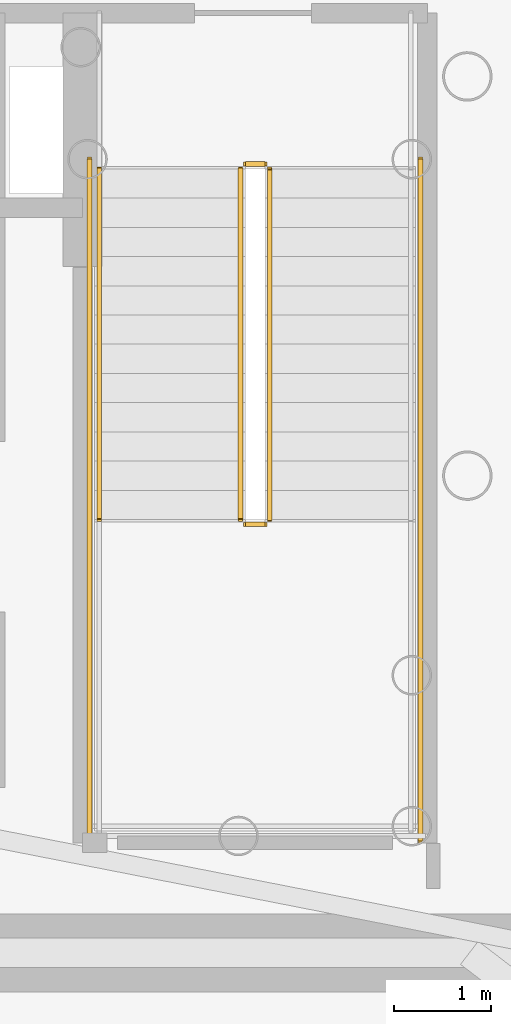
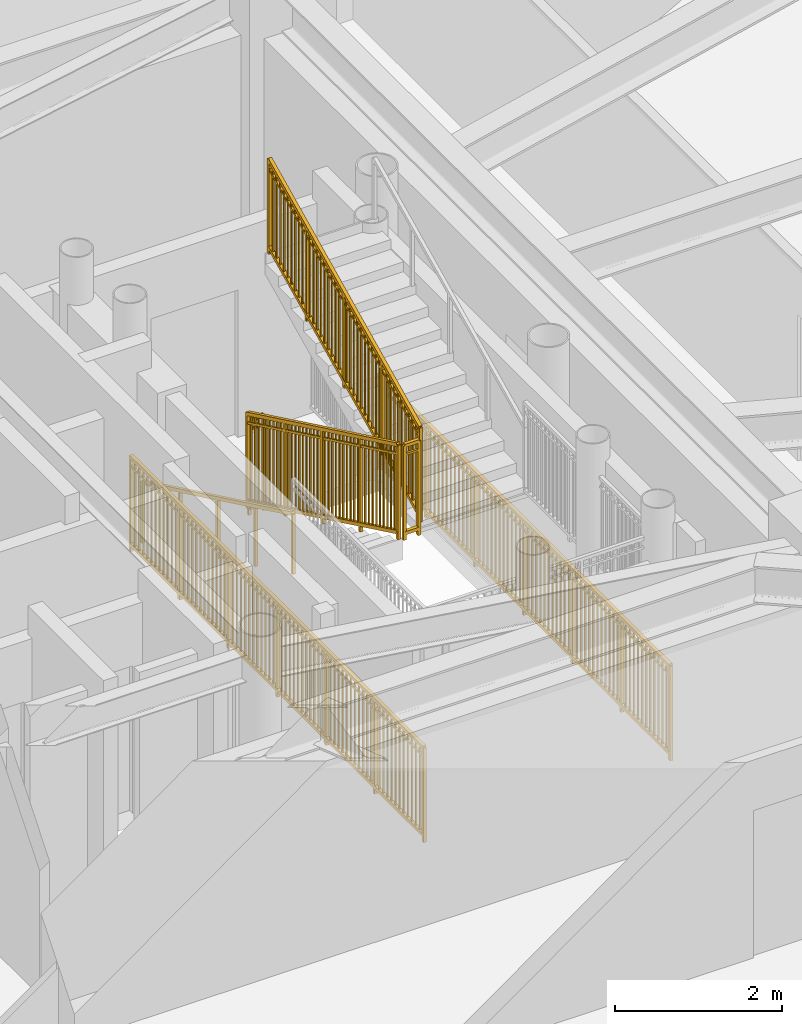
# One storey, part 16 of 17: 7 railings.
"""IFC4 building model written with IfcOpenShell, lengths in metres."""

from ifc_helpers import new_model, si_unit, direction, frame, origin, origin_2d, place, context, subcontext, project, spatial, rectangle, extrude, source, transform, mapped, material, type_object, element, save


model = new_model("IFC4")

# Units and contexts
model_context = context("Model", 3, precision=1e-05, world=origin(), true_north=direction((0.0, 1.0)))
body_context = subcontext(model_context, "Body", "Model", "MODEL_VIEW")
ifc_project = project(units=[si_unit("LENGTHUNIT", "METRE"), si_unit("AREAUNIT", "SQUARE_METRE"), si_unit("VOLUMEUNIT", "CUBIC_METRE"), si_unit("PLANEANGLEUNIT", "RADIAN"), si_unit("MASSUNIT", "GRAM", prefix="KILO")], contexts=[model_context])

# Site, building, storey
site_placement = place(None, origin())
site = spatial("IfcSite", under=ifc_project, at=site_placement, CompositionType="ELEMENT")
building_placement = place(site_placement, origin())
building = spatial("IfcBuilding", under=site, at=building_placement, Name="Linh Dai School and Residence Tower", CompositionType="ELEMENT")
storey_placement = place(building_placement, frame((0.0, 0.0, 142.199951171875)))
storey = spatial("IfcBuildingStorey", under=building, at=storey_placement, Name="L34", CompositionType="ELEMENT", Elevation=142.199951171875)

# Railings
ifc_material_1 = material(Name="Structural Steel S355JR", Category="steel")
railing_type_1 = type_object("IfcRailingType", Name="RL-ST-GUARD-1400", PredefinedType="GUARDRAIL", material=ifc_material_1)
shared_shape_1 = source(origin(), body_context, "Body", "SweptSolid", [
    extrude(rectangle(XDim=0.048095703125, YDim=0.048095703125, at=origin_2d()), frame((0.0, 0.0, 1.3759765625), z_axis=(0.0, 0.901262522062, 0.433273431364), x_axis=(-1.0, 0.0, 0.0)), (0.0, 0.0, 1.0), 3.994384765625),
    extrude(rectangle(XDim=0.048095703125, YDim=0.048095703125, at=origin_2d()), frame((0.0, 0.0, 0.10009765625), z_axis=(0.0, 0.901262522062, 0.433273431364), x_axis=(-1.0, 0.0, 0.0)), (0.0, 0.0, 1.0), 3.994384765625),
    extrude(rectangle(XDim=0.030029296875, YDim=0.030029296875, at=origin_2d()), frame((0.0, 0.0, 1.239990234375), z_axis=(0.0, 0.901262522062, 0.433273431364), x_axis=(-1.0, 0.0, 0.0)), (0.0, 0.0, 1.0), 3.994384765625),
    extrude(rectangle(XDim=0.02001953125, YDim=0.02001953125, at=origin_2d()), frame((0.0, 0.087890625, 0.142333984375)), (0.0, 0.0, 1.0), 1.251708984375),
    extrude(rectangle(XDim=0.02001953125, YDim=0.02001953125, at=origin_2d()), frame((0.0, 0.175537109375, 0.1845703125)), (0.0, 0.0, 1.0), 1.251708984375),
    extrude(rectangle(XDim=0.02001953125, YDim=0.02001953125, at=origin_2d()), frame((0.0, 0.263427734375, 0.226806640625)), (0.0, 0.0, 1.0), 1.251708984375),
    extrude(rectangle(XDim=0.02001953125, YDim=0.02001953125, at=origin_2d()), frame((0.0, 0.351318359375, 0.26904296875)), (0.0, 0.0, 1.0), 1.251708984375),
    extrude(rectangle(XDim=0.02001953125, YDim=0.02001953125, at=origin_2d()), frame((0.0, 0.43896484375, 0.311279296875)), (0.0, 0.0, 1.0), 1.251708984375),
    extrude(rectangle(XDim=0.02001953125, YDim=0.02001953125, at=origin_2d()), frame((0.0, 0.52685546875, 0.353271484375)), (0.0, 0.0, 1.0), 1.251708984375),
    extrude(rectangle(XDim=0.02001953125, YDim=0.02001953125, at=origin_2d()), frame((0.0, 0.61474609375, 0.3955078125)), (0.0, 0.0, 1.0), 1.251708984375),
    extrude(rectangle(XDim=0.02001953125, YDim=0.02001953125, at=origin_2d()), frame((0.0, 0.702392578125, 0.437744140625)), (0.0, 0.0, 1.0), 1.251708984375),
    extrude(rectangle(XDim=0.02001953125, YDim=0.02001953125, at=origin_2d()), frame((0.0, 0.790283203125, 0.47998046875)), (0.0, 0.0, 1.0), 1.251708984375),
    extrude(rectangle(XDim=0.02001953125, YDim=0.02001953125, at=origin_2d()), frame((0.0, 0.9658203125, 0.564453125)), (0.0, 0.0, 1.0), 1.251708984375),
    extrude(rectangle(XDim=0.02001953125, YDim=0.02001953125, at=origin_2d()), frame((0.0, 1.0537109375, 0.606689453125)), (0.0, 0.0, 1.0), 1.251708984375),
    extrude(rectangle(XDim=0.02001953125, YDim=0.02001953125, at=origin_2d()), frame((0.0, 1.1416015625, 0.64892578125)), (0.0, 0.0, 1.0), 1.251708984375),
    extrude(rectangle(XDim=0.02001953125, YDim=0.02001953125, at=origin_2d()), frame((0.0, 1.229248046875, 0.691162109375)), (0.0, 0.0, 1.0), 1.251708984375),
    extrude(rectangle(XDim=0.02001953125, YDim=0.02001953125, at=origin_2d()), frame((0.0, 1.317138671875, 0.7333984375)), (0.0, 0.0, 1.0), 1.251708984375),
    extrude(rectangle(XDim=0.02001953125, YDim=0.02001953125, at=origin_2d()), frame((0.0, 1.405029296875, 0.775390625)), (0.0, 0.0, 1.0), 1.251708984375),
    extrude(rectangle(XDim=0.02001953125, YDim=0.02001953125, at=origin_2d()), frame((0.0, 1.49267578125, 0.817626953125)), (0.0, 0.0, 1.0), 1.251708984375),
    extrude(rectangle(XDim=0.02001953125, YDim=0.02001953125, at=origin_2d()), frame((0.0, 1.58056640625, 0.85986328125)), (0.0, 0.0, 1.0), 1.251708984375),
    extrude(rectangle(XDim=0.02001953125, YDim=0.02001953125, at=origin_2d()), frame((0.0, 1.66845703125, 0.902099609375)), (0.0, 0.0, 1.0), 1.251708984375),
    extrude(rectangle(XDim=0.02001953125, YDim=0.02001953125, at=origin_2d()), frame((0.0, 1.756103515625, 0.9443359375)), (0.0, 0.0, 1.0), 1.251708984375),
    extrude(rectangle(XDim=0.02001953125, YDim=0.02001953125, at=origin_2d()), frame((0.0, 1.843994140625, 0.986572265625)), (0.0, 0.0, 1.0), 1.251708984375),
    extrude(rectangle(XDim=0.02001953125, YDim=0.02001953125, at=origin_2d()), frame((0.0, 1.931640625, 1.02880859375)), (0.0, 0.0, 1.0), 1.251708984375),
    extrude(rectangle(XDim=0.02001953125, YDim=0.02001953125, at=origin_2d()), frame((0.0, 2.01953125, 1.071044921875)), (0.0, 0.0, 1.0), 1.251708984375),
    extrude(rectangle(XDim=0.02001953125, YDim=0.02001953125, at=origin_2d()), frame((0.0, 2.107421875, 1.11328125)), (0.0, 0.0, 1.0), 1.251708984375),
    extrude(rectangle(XDim=0.02001953125, YDim=0.02001953125, at=origin_2d()), frame((0.0, 2.195068359375, 1.155517578125)), (0.0, 0.0, 1.0), 1.251708984375),
    extrude(rectangle(XDim=0.02001953125, YDim=0.02001953125, at=origin_2d()), frame((0.0, 2.282958984375, 1.197509765625)), (0.0, 0.0, 1.0), 1.251708984375),
    extrude(rectangle(XDim=0.02001953125, YDim=0.02001953125, at=origin_2d()), frame((0.0, 2.370849609375, 1.23974609375)), (0.0, 0.0, 1.0), 1.251708984375),
    extrude(rectangle(XDim=0.02001953125, YDim=0.02001953125, at=origin_2d()), frame((0.0, 2.45849609375, 1.281982421875)), (0.0, 0.0, 1.0), 1.251708984375),
    extrude(rectangle(XDim=0.02001953125, YDim=0.02001953125, at=origin_2d()), frame((0.0, 2.54638671875, 1.32421875)), (0.0, 0.0, 1.0), 1.251708984375),
    extrude(rectangle(XDim=0.02001953125, YDim=0.02001953125, at=origin_2d()), frame((0.0, 2.63427734375, 1.366455078125)), (0.0, 0.0, 1.0), 1.251708984375),
    extrude(rectangle(XDim=0.02001953125, YDim=0.02001953125, at=origin_2d()), frame((0.0, 2.809814453125, 1.450927734375)), (0.0, 0.0, 1.0), 1.251708984375),
    extrude(rectangle(XDim=0.02001953125, YDim=0.02001953125, at=origin_2d()), frame((0.0, 2.897705078125, 1.4931640625)), (0.0, 0.0, 1.0), 1.251708984375),
    extrude(rectangle(XDim=0.02001953125, YDim=0.02001953125, at=origin_2d()), frame((0.0, 2.9853515625, 1.535400390625)), (0.0, 0.0, 1.0), 1.251708984375),
    extrude(rectangle(XDim=0.02001953125, YDim=0.02001953125, at=origin_2d()), frame((0.0, 3.0732421875, 1.57763671875)), (0.0, 0.0, 1.0), 1.251708984375),
    extrude(rectangle(XDim=0.02001953125, YDim=0.02001953125, at=origin_2d()), frame((0.0, 3.1611328125, 1.61962890625)), (0.0, 0.0, 1.0), 1.251708984375),
    extrude(rectangle(XDim=0.02001953125, YDim=0.02001953125, at=origin_2d()), frame((0.0, 3.248779296875, 1.661865234375)), (0.0, 0.0, 1.0), 1.251708984375),
    extrude(rectangle(XDim=0.02001953125, YDim=0.02001953125, at=origin_2d()), frame((0.0, 3.336669921875, 1.7041015625)), (0.0, 0.0, 1.0), 1.251708984375),
    extrude(rectangle(XDim=0.02001953125, YDim=0.02001953125, at=origin_2d()), frame((0.0, 3.424560546875, 1.746337890625)), (0.0, 0.0, 1.0), 1.251708984375),
    extrude(rectangle(XDim=0.02001953125, YDim=0.02001953125, at=origin_2d()), frame((0.0, 3.51220703125, 1.78857421875)), (0.0, 0.0, 1.0), 1.251708984375),
    extrude(rectangle(XDim=0.0419921875, YDim=0.0419921875, at=origin_2d()), origin(), (0.0, 0.0, 1.0), 1.3759765625),
    extrude(rectangle(XDim=0.0419921875, YDim=0.0419921875, at=origin_2d()), frame((0.0, 0.89990234375, 0.4326171875)), (0.0, 0.0, 1.0), 1.3759765625),
    extrude(rectangle(XDim=0.0419921875, YDim=0.0419921875, at=origin_2d()), frame((0.0, 1.800048828125, 0.865234375)), (0.0, 0.0, 1.0), 1.3759765625),
    extrude(rectangle(XDim=0.0419921875, YDim=0.0419921875, at=origin_2d()), frame((0.0, 2.7001953125, 1.298095703125)), (0.0, 0.0, 1.0), 1.3759765625),
    extrude(rectangle(XDim=0.0419921875, YDim=0.0419921875, at=origin_2d()), frame((0.0, 3.60009765625, 1.730712890625)), (0.0, 0.0, 1.0), 1.3759765625),
])
railing_1_placement = place(storey_placement, frame((42.820068359375, 24.64990234375, 2.019287109375)))
element("IfcRailing", 1, at=railing_1_placement, inside=storey, type_object=railing_type_1, Name="L34 ST2 stair guard 6", PredefinedType="GUARDRAIL", context=body_context, shape_type="MappedRepresentation", body=[
    mapped(shared_shape_1, transform((0.0, 0.0, 0.0), x_axis=(1.0, 0.0, 0.0), y_axis=(0.0, 1.0, 0.0), z_axis=(0.0, 0.0, 1.0), scale=1.0)),
])
shared_shape_2 = source(origin(), body_context, "Body", "SweptSolid", [
    extrude(rectangle(XDim=0.048095703125, YDim=0.048095703125, at=origin_2d()), frame((0.0, 0.0, 1.3759765625), z_axis=(0.0, -0.901262522062, 0.433273431364), x_axis=(1.0, 0.0, 0.0)), (0.0, 0.0, 1.0), 3.994384765625),
    extrude(rectangle(XDim=0.048095703125, YDim=0.048095703125, at=origin_2d()), frame((0.0, 0.0, 0.10009765625), z_axis=(0.0, -0.901262522062, 0.433273431364), x_axis=(1.0, 0.0, 0.0)), (0.0, 0.0, 1.0), 3.994384765625),
    extrude(rectangle(XDim=0.030029296875, YDim=0.030029296875, at=origin_2d()), frame((0.0, 0.0, 1.239990234375), z_axis=(0.0, -0.901262522062, 0.433273431364), x_axis=(1.0, 0.0, 0.0)), (0.0, 0.0, 1.0), 3.994384765625),
    extrude(rectangle(XDim=0.02001953125, YDim=0.02001953125, at=origin_2d()), frame((0.0, -0.087890625, 0.142333984375)), (0.0, 0.0, 1.0), 1.251708984375),
    extrude(rectangle(XDim=0.02001953125, YDim=0.02001953125, at=origin_2d()), frame((0.0, -0.175537109375, 0.1845703125)), (0.0, 0.0, 1.0), 1.251708984375),
    extrude(rectangle(XDim=0.02001953125, YDim=0.02001953125, at=origin_2d()), frame((0.0, -0.263427734375, 0.226806640625)), (0.0, 0.0, 1.0), 1.251708984375),
    extrude(rectangle(XDim=0.02001953125, YDim=0.02001953125, at=origin_2d()), frame((0.0, -0.351318359375, 0.26904296875)), (0.0, 0.0, 1.0), 1.251708984375),
    extrude(rectangle(XDim=0.02001953125, YDim=0.02001953125, at=origin_2d()), frame((0.0, -0.43896484375, 0.311279296875)), (0.0, 0.0, 1.0), 1.251708984375),
    extrude(rectangle(XDim=0.02001953125, YDim=0.02001953125, at=origin_2d()), frame((0.0, -0.52685546875, 0.353271484375)), (0.0, 0.0, 1.0), 1.251708984375),
    extrude(rectangle(XDim=0.02001953125, YDim=0.02001953125, at=origin_2d()), frame((0.0, -0.61474609375, 0.3955078125)), (0.0, 0.0, 1.0), 1.251708984375),
    extrude(rectangle(XDim=0.02001953125, YDim=0.02001953125, at=origin_2d()), frame((0.0, -0.702392578125, 0.437744140625)), (0.0, 0.0, 1.0), 1.251708984375),
    extrude(rectangle(XDim=0.02001953125, YDim=0.02001953125, at=origin_2d()), frame((0.0, -0.790283203125, 0.47998046875)), (0.0, 0.0, 1.0), 1.251708984375),
    extrude(rectangle(XDim=0.02001953125, YDim=0.02001953125, at=origin_2d()), frame((0.0, -0.9658203125, 0.564453125)), (0.0, 0.0, 1.0), 1.251708984375),
    extrude(rectangle(XDim=0.02001953125, YDim=0.02001953125, at=origin_2d()), frame((0.0, -1.0537109375, 0.606689453125)), (0.0, 0.0, 1.0), 1.251708984375),
    extrude(rectangle(XDim=0.02001953125, YDim=0.02001953125, at=origin_2d()), frame((0.0, -1.1416015625, 0.64892578125)), (0.0, 0.0, 1.0), 1.251708984375),
    extrude(rectangle(XDim=0.02001953125, YDim=0.02001953125, at=origin_2d()), frame((0.0, -1.229248046875, 0.691162109375)), (0.0, 0.0, 1.0), 1.251708984375),
    extrude(rectangle(XDim=0.02001953125, YDim=0.02001953125, at=origin_2d()), frame((0.0, -1.317138671875, 0.7333984375)), (0.0, 0.0, 1.0), 1.251708984375),
    extrude(rectangle(XDim=0.02001953125, YDim=0.02001953125, at=origin_2d()), frame((0.0, -1.405029296875, 0.775390625)), (0.0, 0.0, 1.0), 1.251708984375),
    extrude(rectangle(XDim=0.02001953125, YDim=0.02001953125, at=origin_2d()), frame((0.0, -1.49267578125, 0.817626953125)), (0.0, 0.0, 1.0), 1.251708984375),
    extrude(rectangle(XDim=0.02001953125, YDim=0.02001953125, at=origin_2d()), frame((0.0, -1.58056640625, 0.85986328125)), (0.0, 0.0, 1.0), 1.251708984375),
    extrude(rectangle(XDim=0.02001953125, YDim=0.02001953125, at=origin_2d()), frame((0.0, -1.66845703125, 0.902099609375)), (0.0, 0.0, 1.0), 1.251708984375),
    extrude(rectangle(XDim=0.02001953125, YDim=0.02001953125, at=origin_2d()), frame((0.0, -1.756103515625, 0.9443359375)), (0.0, 0.0, 1.0), 1.251708984375),
    extrude(rectangle(XDim=0.02001953125, YDim=0.02001953125, at=origin_2d()), frame((0.0, -1.843994140625, 0.986572265625)), (0.0, 0.0, 1.0), 1.251708984375),
    extrude(rectangle(XDim=0.02001953125, YDim=0.02001953125, at=origin_2d()), frame((0.0, -1.931640625, 1.02880859375)), (0.0, 0.0, 1.0), 1.251708984375),
    extrude(rectangle(XDim=0.02001953125, YDim=0.02001953125, at=origin_2d()), frame((0.0, -2.01953125, 1.071044921875)), (0.0, 0.0, 1.0), 1.251708984375),
    extrude(rectangle(XDim=0.02001953125, YDim=0.02001953125, at=origin_2d()), frame((0.0, -2.107421875, 1.11328125)), (0.0, 0.0, 1.0), 1.251708984375),
    extrude(rectangle(XDim=0.02001953125, YDim=0.02001953125, at=origin_2d()), frame((0.0, -2.195068359375, 1.155517578125)), (0.0, 0.0, 1.0), 1.251708984375),
    extrude(rectangle(XDim=0.02001953125, YDim=0.02001953125, at=origin_2d()), frame((0.0, -2.282958984375, 1.197509765625)), (0.0, 0.0, 1.0), 1.251708984375),
    extrude(rectangle(XDim=0.02001953125, YDim=0.02001953125, at=origin_2d()), frame((0.0, -2.370849609375, 1.23974609375)), (0.0, 0.0, 1.0), 1.251708984375),
    extrude(rectangle(XDim=0.02001953125, YDim=0.02001953125, at=origin_2d()), frame((0.0, -2.45849609375, 1.281982421875)), (0.0, 0.0, 1.0), 1.251708984375),
    extrude(rectangle(XDim=0.02001953125, YDim=0.02001953125, at=origin_2d()), frame((0.0, -2.54638671875, 1.32421875)), (0.0, 0.0, 1.0), 1.251708984375),
    extrude(rectangle(XDim=0.02001953125, YDim=0.02001953125, at=origin_2d()), frame((0.0, -2.63427734375, 1.366455078125)), (0.0, 0.0, 1.0), 1.251708984375),
    extrude(rectangle(XDim=0.02001953125, YDim=0.02001953125, at=origin_2d()), frame((0.0, -2.809814453125, 1.450927734375)), (0.0, 0.0, 1.0), 1.251708984375),
    extrude(rectangle(XDim=0.02001953125, YDim=0.02001953125, at=origin_2d()), frame((0.0, -2.897705078125, 1.4931640625)), (0.0, 0.0, 1.0), 1.251708984375),
    extrude(rectangle(XDim=0.02001953125, YDim=0.02001953125, at=origin_2d()), frame((0.0, -2.9853515625, 1.535400390625)), (0.0, 0.0, 1.0), 1.251708984375),
    extrude(rectangle(XDim=0.02001953125, YDim=0.02001953125, at=origin_2d()), frame((0.0, -3.0732421875, 1.57763671875)), (0.0, 0.0, 1.0), 1.251708984375),
    extrude(rectangle(XDim=0.02001953125, YDim=0.02001953125, at=origin_2d()), frame((0.0, -3.1611328125, 1.61962890625)), (0.0, 0.0, 1.0), 1.251708984375),
    extrude(rectangle(XDim=0.02001953125, YDim=0.02001953125, at=origin_2d()), frame((0.0, -3.248779296875, 1.661865234375)), (0.0, 0.0, 1.0), 1.251708984375),
    extrude(rectangle(XDim=0.02001953125, YDim=0.02001953125, at=origin_2d()), frame((0.0, -3.336669921875, 1.7041015625)), (0.0, 0.0, 1.0), 1.251708984375),
    extrude(rectangle(XDim=0.02001953125, YDim=0.02001953125, at=origin_2d()), frame((0.0, -3.424560546875, 1.746337890625)), (0.0, 0.0, 1.0), 1.251708984375),
    extrude(rectangle(XDim=0.02001953125, YDim=0.02001953125, at=origin_2d()), frame((0.0, -3.51220703125, 1.78857421875)), (0.0, 0.0, 1.0), 1.251708984375),
    extrude(rectangle(XDim=0.0419921875, YDim=0.0419921875, at=origin_2d()), origin(), (0.0, 0.0, 1.0), 1.3759765625),
    extrude(rectangle(XDim=0.0419921875, YDim=0.0419921875, at=origin_2d()), frame((0.0, -0.89990234375, 0.4326171875)), (0.0, 0.0, 1.0), 1.3759765625),
    extrude(rectangle(XDim=0.0419921875, YDim=0.0419921875, at=origin_2d()), frame((0.0, -1.800048828125, 0.865234375)), (0.0, 0.0, 1.0), 1.3759765625),
    extrude(rectangle(XDim=0.0419921875, YDim=0.0419921875, at=origin_2d()), frame((0.0, -2.7001953125, 1.298095703125)), (0.0, 0.0, 1.0), 1.3759765625),
    extrude(rectangle(XDim=0.0419921875, YDim=0.0419921875, at=origin_2d()), frame((0.0, -3.60009765625, 1.730712890625)), (0.0, 0.0, 1.0), 1.3759765625),
])
railing_2_placement = place(storey_placement, frame((42.52001953125, 28.25, 0.144287109375)))
element("IfcRailing", 2, at=railing_2_placement, inside=storey, type_object=railing_type_1, Name="L34 ST2 stair guard 1", PredefinedType="GUARDRAIL", context=body_context, shape_type="MappedRepresentation", body=[
    mapped(shared_shape_2, transform((0.0, 0.0, 0.0), x_axis=(1.0, 0.0, 0.0), y_axis=(0.0, 1.0, 0.0), z_axis=(0.0, 0.0, 1.0), scale=1.0)),
])
ifc_material_2 = material(Name="Brushed Stainless Steel Handrail", Category="steel")
railing_type_2 = type_object("IfcRailingType", Name="RL-ST-HANDRAIL-900", PredefinedType="HANDRAIL", material=ifc_material_2)
shared_shape_3 = source(origin(), body_context, "Body", "SweptSolid", [
    extrude(rectangle(XDim=0.048095703125, YDim=0.048095703125, at=origin_2d()), frame((0.0, 0.0, 0.8759765625), z_axis=(0.0, -0.901262522062, 0.433273431364), x_axis=(1.0, 0.0, 0.0)), (0.0, 0.0, 1.0), 3.994384765625),
    extrude(rectangle(XDim=0.0419921875, YDim=0.0419921875, at=origin_2d()), origin(), (0.0, 0.0, 1.0), 0.8759765625),
    extrude(rectangle(XDim=0.0419921875, YDim=0.0419921875, at=origin_2d()), frame((0.0, -0.89990234375, 0.4326171875)), (0.0, 0.0, 1.0), 0.8759765625),
    extrude(rectangle(XDim=0.0419921875, YDim=0.0419921875, at=origin_2d()), frame((0.0, -1.800048828125, 0.865234375)), (0.0, 0.0, 1.0), 0.8759765625),
    extrude(rectangle(XDim=0.0419921875, YDim=0.0419921875, at=origin_2d()), frame((0.0, -2.7001953125, 1.298095703125)), (0.0, 0.0, 1.0), 0.8759765625),
    extrude(rectangle(XDim=0.0419921875, YDim=0.0419921875, at=origin_2d()), frame((0.0, -3.60009765625, 1.730712890625)), (0.0, 0.0, 1.0), 0.8759765625),
])
railing_3_placement = place(storey_placement, frame((41.070068359375, 28.25, 0.144287109375)))
element("IfcRailing", 3, at=railing_3_placement, inside=storey, type_object=railing_type_2, Name="L34 ST2 stair handrail 1", PredefinedType="HANDRAIL", context=body_context, shape_type="MappedRepresentation", body=[
    mapped(shared_shape_3, transform((0.0, 0.0, 0.0), x_axis=(1.0, 0.0, 0.0), y_axis=(0.0, 1.0, 0.0), z_axis=(0.0, 0.0, 1.0), scale=1.0)),
])
shared_shape_4 = source(origin(), body_context, "Body", "SweptSolid", [
    extrude(rectangle(XDim=0.048095703125, YDim=0.048095703125, at=origin_2d()), frame((0.0, 0.0, 1.3759765625), z_axis=(1.0, 0.0, 0.0), x_axis=(0.0, 1.0, 0.0)), (0.0, 0.0, 1.0), 0.199951171875),
    extrude(rectangle(XDim=0.048095703125, YDim=0.048095703125, at=origin_2d()), frame((0.0, 0.0, 0.10009765625), z_axis=(1.0, 0.0, 0.0), x_axis=(0.0, 1.0, 0.0)), (0.0, 0.0, 1.0), 0.199951171875),
    extrude(rectangle(XDim=0.030029296875, YDim=0.030029296875, at=origin_2d()), frame((0.0, 0.0, 1.239990234375), z_axis=(1.0, 0.0, 0.0), x_axis=(0.0, 1.0, 0.0)), (0.0, 0.0, 1.0), 0.199951171875),
    extrude(rectangle(XDim=0.0419921875, YDim=0.0419921875, at=origin_2d()), origin(), (0.0, 0.0, 1.0), 1.3759765625),
    extrude(rectangle(XDim=0.0419921875, YDim=0.0419921875, at=origin_2d()), frame((0.199951171875, 0.0, 0.0)), (0.0, 0.0, 1.0), 1.3759765625),
])
for number, where, name in (
    (4, (42.570068359375, 24.60009765625, 1.875), "L34 ST2 stair guard 2"),
    (5, (42.570068359375, 28.300048828125, 0.0), "L34 ST2 stair guard 7"),
):
    element("IfcRailing", number, at=place(storey_placement, frame(where)), inside=storey, type_object=railing_type_1, Name=name, PredefinedType="GUARDRAIL", context=body_context, shape_type="MappedRepresentation", body=[
        mapped(shared_shape_4, transform((0.0, 0.0, 0.0), x_axis=(1.0, 0.0, 0.0), y_axis=(0.0, 1.0, 0.0), z_axis=(0.0, 0.0, 1.0), scale=1.0)),
    ])
shared_shape_5 = source(origin(), body_context, "Body", "SweptSolid", [
    extrude(rectangle(XDim=0.048095703125, YDim=0.048095703125, at=origin_2d()), frame((0.0, 0.0, 1.3759765625), z_axis=(0.0, -1.0, 0.0), x_axis=(1.0, 0.0, 0.0)), (0.0, 0.0, 1.0), 7.0),
    extrude(rectangle(XDim=0.048095703125, YDim=0.048095703125, at=origin_2d()), frame((0.0, 0.0, 0.10009765625), z_axis=(0.0, -1.0, 0.0), x_axis=(1.0, 0.0, 0.0)), (0.0, 0.0, 1.0), 7.0),
    extrude(rectangle(XDim=0.030029296875, YDim=0.030029296875, at=origin_2d()), frame((0.0, 0.0, 1.239990234375), z_axis=(0.0, -1.0, 0.0), x_axis=(1.0, 0.0, 0.0)), (0.0, 0.0, 1.0), 7.0),
    extrude(rectangle(XDim=0.02001953125, YDim=0.02001953125, at=origin_2d()), frame((0.0, -0.09716796875, 0.10009765625)), (0.0, 0.0, 1.0), 1.251708984375),
    extrude(rectangle(XDim=0.02001953125, YDim=0.02001953125, at=origin_2d()), frame((0.0, -0.1943359375, 0.10009765625)), (0.0, 0.0, 1.0), 1.251708984375),
    extrude(rectangle(XDim=0.02001953125, YDim=0.02001953125, at=origin_2d()), frame((0.0, -0.291748046875, 0.10009765625)), (0.0, 0.0, 1.0), 1.251708984375),
    extrude(rectangle(XDim=0.02001953125, YDim=0.02001953125, at=origin_2d()), frame((0.0, -0.388916015625, 0.10009765625)), (0.0, 0.0, 1.0), 1.251708984375),
    extrude(rectangle(XDim=0.02001953125, YDim=0.02001953125, at=origin_2d()), frame((0.0, -0.486083984375, 0.10009765625)), (0.0, 0.0, 1.0), 1.251708984375),
    extrude(rectangle(XDim=0.02001953125, YDim=0.02001953125, at=origin_2d()), frame((0.0, -0.583251953125, 0.10009765625)), (0.0, 0.0, 1.0), 1.251708984375),
    extrude(rectangle(XDim=0.02001953125, YDim=0.02001953125, at=origin_2d()), frame((0.0, -0.6806640625, 0.10009765625)), (0.0, 0.0, 1.0), 1.251708984375),
    extrude(rectangle(XDim=0.02001953125, YDim=0.02001953125, at=origin_2d()), frame((0.0, -0.77783203125, 0.10009765625)), (0.0, 0.0, 1.0), 1.251708984375),
    extrude(rectangle(XDim=0.02001953125, YDim=0.02001953125, at=origin_2d()), frame((0.0, -0.875, 0.10009765625)), (0.0, 0.0, 1.0), 1.251708984375),
    extrude(rectangle(XDim=0.02001953125, YDim=0.02001953125, at=origin_2d()), frame((0.0, -0.97216796875, 0.10009765625)), (0.0, 0.0, 1.0), 1.251708984375),
    extrude(rectangle(XDim=0.02001953125, YDim=0.02001953125, at=origin_2d()), frame((0.0, -1.0693359375, 0.10009765625)), (0.0, 0.0, 1.0), 1.251708984375),
    extrude(rectangle(XDim=0.02001953125, YDim=0.02001953125, at=origin_2d()), frame((0.0, -1.263916015625, 0.10009765625)), (0.0, 0.0, 1.0), 1.251708984375),
    extrude(rectangle(XDim=0.02001953125, YDim=0.02001953125, at=origin_2d()), frame((0.0, -1.361083984375, 0.10009765625)), (0.0, 0.0, 1.0), 1.251708984375),
    extrude(rectangle(XDim=0.02001953125, YDim=0.02001953125, at=origin_2d()), frame((0.0, -1.458251953125, 0.10009765625)), (0.0, 0.0, 1.0), 1.251708984375),
    extrude(rectangle(XDim=0.02001953125, YDim=0.02001953125, at=origin_2d()), frame((0.0, -1.5556640625, 0.10009765625)), (0.0, 0.0, 1.0), 1.251708984375),
    extrude(rectangle(XDim=0.02001953125, YDim=0.02001953125, at=origin_2d()), frame((0.0, -1.65283203125, 0.10009765625)), (0.0, 0.0, 1.0), 1.251708984375),
    extrude(rectangle(XDim=0.02001953125, YDim=0.02001953125, at=origin_2d()), frame((0.0, -1.75, 0.10009765625)), (0.0, 0.0, 1.0), 1.251708984375),
    extrude(rectangle(XDim=0.02001953125, YDim=0.02001953125, at=origin_2d()), frame((0.0, -1.84716796875, 0.10009765625)), (0.0, 0.0, 1.0), 1.251708984375),
    extrude(rectangle(XDim=0.02001953125, YDim=0.02001953125, at=origin_2d()), frame((0.0, -1.9443359375, 0.10009765625)), (0.0, 0.0, 1.0), 1.251708984375),
    extrude(rectangle(XDim=0.02001953125, YDim=0.02001953125, at=origin_2d()), frame((0.0, -2.041748046875, 0.10009765625)), (0.0, 0.0, 1.0), 1.251708984375),
    extrude(rectangle(XDim=0.02001953125, YDim=0.02001953125, at=origin_2d()), frame((0.0, -2.138916015625, 0.10009765625)), (0.0, 0.0, 1.0), 1.251708984375),
    extrude(rectangle(XDim=0.02001953125, YDim=0.02001953125, at=origin_2d()), frame((0.0, -2.236083984375, 0.10009765625)), (0.0, 0.0, 1.0), 1.251708984375),
    extrude(rectangle(XDim=0.02001953125, YDim=0.02001953125, at=origin_2d()), frame((0.0, -2.4306640625, 0.10009765625)), (0.0, 0.0, 1.0), 1.251708984375),
    extrude(rectangle(XDim=0.02001953125, YDim=0.02001953125, at=origin_2d()), frame((0.0, -2.52783203125, 0.10009765625)), (0.0, 0.0, 1.0), 1.251708984375),
    extrude(rectangle(XDim=0.02001953125, YDim=0.02001953125, at=origin_2d()), frame((0.0, -2.625, 0.10009765625)), (0.0, 0.0, 1.0), 1.251708984375),
    extrude(rectangle(XDim=0.02001953125, YDim=0.02001953125, at=origin_2d()), frame((0.0, -2.72216796875, 0.10009765625)), (0.0, 0.0, 1.0), 1.251708984375),
    extrude(rectangle(XDim=0.02001953125, YDim=0.02001953125, at=origin_2d()), frame((0.0, -2.8193359375, 0.10009765625)), (0.0, 0.0, 1.0), 1.251708984375),
    extrude(rectangle(XDim=0.02001953125, YDim=0.02001953125, at=origin_2d()), frame((0.0, -2.916748046875, 0.10009765625)), (0.0, 0.0, 1.0), 1.251708984375),
    extrude(rectangle(XDim=0.02001953125, YDim=0.02001953125, at=origin_2d()), frame((0.0, -3.013916015625, 0.10009765625)), (0.0, 0.0, 1.0), 1.251708984375),
    extrude(rectangle(XDim=0.02001953125, YDim=0.02001953125, at=origin_2d()), frame((0.0, -3.111083984375, 0.10009765625)), (0.0, 0.0, 1.0), 1.251708984375),
    extrude(rectangle(XDim=0.02001953125, YDim=0.02001953125, at=origin_2d()), frame((0.0, -3.208251953125, 0.10009765625)), (0.0, 0.0, 1.0), 1.251708984375),
    extrude(rectangle(XDim=0.02001953125, YDim=0.02001953125, at=origin_2d()), frame((0.0, -3.3056640625, 0.10009765625)), (0.0, 0.0, 1.0), 1.251708984375),
    extrude(rectangle(XDim=0.02001953125, YDim=0.02001953125, at=origin_2d()), frame((0.0, -3.40283203125, 0.10009765625)), (0.0, 0.0, 1.0), 1.251708984375),
    extrude(rectangle(XDim=0.02001953125, YDim=0.02001953125, at=origin_2d()), frame((0.0, -3.59716796875, 0.10009765625)), (0.0, 0.0, 1.0), 1.251708984375),
    extrude(rectangle(XDim=0.02001953125, YDim=0.02001953125, at=origin_2d()), frame((0.0, -3.6943359375, 0.10009765625)), (0.0, 0.0, 1.0), 1.251708984375),
    extrude(rectangle(XDim=0.02001953125, YDim=0.02001953125, at=origin_2d()), frame((0.0, -3.791748046875, 0.10009765625)), (0.0, 0.0, 1.0), 1.251708984375),
    extrude(rectangle(XDim=0.02001953125, YDim=0.02001953125, at=origin_2d()), frame((0.0, -3.888916015625, 0.10009765625)), (0.0, 0.0, 1.0), 1.251708984375),
    extrude(rectangle(XDim=0.02001953125, YDim=0.02001953125, at=origin_2d()), frame((0.0, -3.986083984375, 0.10009765625)), (0.0, 0.0, 1.0), 1.251708984375),
    extrude(rectangle(XDim=0.02001953125, YDim=0.02001953125, at=origin_2d()), frame((0.0, -4.083251953125, 0.10009765625)), (0.0, 0.0, 1.0), 1.251708984375),
    extrude(rectangle(XDim=0.02001953125, YDim=0.02001953125, at=origin_2d()), frame((0.0, -4.1806640625, 0.10009765625)), (0.0, 0.0, 1.0), 1.251708984375),
    extrude(rectangle(XDim=0.02001953125, YDim=0.02001953125, at=origin_2d()), frame((0.0, -4.27783203125, 0.10009765625)), (0.0, 0.0, 1.0), 1.251708984375),
    extrude(rectangle(XDim=0.02001953125, YDim=0.02001953125, at=origin_2d()), frame((0.0, -4.375, 0.10009765625)), (0.0, 0.0, 1.0), 1.251708984375),
    extrude(rectangle(XDim=0.02001953125, YDim=0.02001953125, at=origin_2d()), frame((0.0, -4.47216796875, 0.10009765625)), (0.0, 0.0, 1.0), 1.251708984375),
    extrude(rectangle(XDim=0.02001953125, YDim=0.02001953125, at=origin_2d()), frame((0.0, -4.5693359375, 0.10009765625)), (0.0, 0.0, 1.0), 1.251708984375),
    extrude(rectangle(XDim=0.02001953125, YDim=0.02001953125, at=origin_2d()), frame((0.0, -4.763916015625, 0.10009765625)), (0.0, 0.0, 1.0), 1.251708984375),
    extrude(rectangle(XDim=0.02001953125, YDim=0.02001953125, at=origin_2d()), frame((0.0, -4.861083984375, 0.10009765625)), (0.0, 0.0, 1.0), 1.251708984375),
    extrude(rectangle(XDim=0.02001953125, YDim=0.02001953125, at=origin_2d()), frame((0.0, -4.958251953125, 0.10009765625)), (0.0, 0.0, 1.0), 1.251708984375),
    extrude(rectangle(XDim=0.02001953125, YDim=0.02001953125, at=origin_2d()), frame((0.0, -5.0556640625, 0.10009765625)), (0.0, 0.0, 1.0), 1.251708984375),
    extrude(rectangle(XDim=0.02001953125, YDim=0.02001953125, at=origin_2d()), frame((0.0, -5.15283203125, 0.10009765625)), (0.0, 0.0, 1.0), 1.251708984375),
    extrude(rectangle(XDim=0.02001953125, YDim=0.02001953125, at=origin_2d()), frame((0.0, -5.25, 0.10009765625)), (0.0, 0.0, 1.0), 1.251708984375),
    extrude(rectangle(XDim=0.02001953125, YDim=0.02001953125, at=origin_2d()), frame((0.0, -5.34716796875, 0.10009765625)), (0.0, 0.0, 1.0), 1.251708984375),
    extrude(rectangle(XDim=0.02001953125, YDim=0.02001953125, at=origin_2d()), frame((0.0, -5.4443359375, 0.10009765625)), (0.0, 0.0, 1.0), 1.251708984375),
    extrude(rectangle(XDim=0.02001953125, YDim=0.02001953125, at=origin_2d()), frame((0.0, -5.541748046875, 0.10009765625)), (0.0, 0.0, 1.0), 1.251708984375),
    extrude(rectangle(XDim=0.02001953125, YDim=0.02001953125, at=origin_2d()), frame((0.0, -5.638916015625, 0.10009765625)), (0.0, 0.0, 1.0), 1.251708984375),
    extrude(rectangle(XDim=0.02001953125, YDim=0.02001953125, at=origin_2d()), frame((0.0, -5.736083984375, 0.10009765625)), (0.0, 0.0, 1.0), 1.251708984375),
    extrude(rectangle(XDim=0.02001953125, YDim=0.02001953125, at=origin_2d()), frame((0.0, -5.9306640625, 0.10009765625)), (0.0, 0.0, 1.0), 1.251708984375),
    extrude(rectangle(XDim=0.02001953125, YDim=0.02001953125, at=origin_2d()), frame((0.0, -6.02783203125, 0.10009765625)), (0.0, 0.0, 1.0), 1.251708984375),
    extrude(rectangle(XDim=0.02001953125, YDim=0.02001953125, at=origin_2d()), frame((0.0, -6.125, 0.10009765625)), (0.0, 0.0, 1.0), 1.251708984375),
    extrude(rectangle(XDim=0.02001953125, YDim=0.02001953125, at=origin_2d()), frame((0.0, -6.22216796875, 0.10009765625)), (0.0, 0.0, 1.0), 1.251708984375),
    extrude(rectangle(XDim=0.02001953125, YDim=0.02001953125, at=origin_2d()), frame((0.0, -6.3193359375, 0.10009765625)), (0.0, 0.0, 1.0), 1.251708984375),
    extrude(rectangle(XDim=0.02001953125, YDim=0.02001953125, at=origin_2d()), frame((0.0, -6.416748046875, 0.10009765625)), (0.0, 0.0, 1.0), 1.251708984375),
    extrude(rectangle(XDim=0.02001953125, YDim=0.02001953125, at=origin_2d()), frame((0.0, -6.513916015625, 0.10009765625)), (0.0, 0.0, 1.0), 1.251708984375),
    extrude(rectangle(XDim=0.02001953125, YDim=0.02001953125, at=origin_2d()), frame((0.0, -6.611083984375, 0.10009765625)), (0.0, 0.0, 1.0), 1.251708984375),
    extrude(rectangle(XDim=0.02001953125, YDim=0.02001953125, at=origin_2d()), frame((0.0, -6.708251953125, 0.10009765625)), (0.0, 0.0, 1.0), 1.251708984375),
    extrude(rectangle(XDim=0.02001953125, YDim=0.02001953125, at=origin_2d()), frame((0.0, -6.8056640625, 0.10009765625)), (0.0, 0.0, 1.0), 1.251708984375),
    extrude(rectangle(XDim=0.02001953125, YDim=0.02001953125, at=origin_2d()), frame((0.0, -6.90283203125, 0.10009765625)), (0.0, 0.0, 1.0), 1.251708984375),
    extrude(rectangle(XDim=0.0419921875, YDim=0.0419921875, at=origin_2d()), origin(), (0.0, 0.0, 1.0), 1.3759765625),
    extrude(rectangle(XDim=0.0419921875, YDim=0.0419921875, at=origin_2d()), frame((0.0, -1.166748046875, 0.0)), (0.0, 0.0, 1.0), 1.3759765625),
    extrude(rectangle(XDim=0.0419921875, YDim=0.0419921875, at=origin_2d()), frame((0.0, -2.333251953125, 0.0)), (0.0, 0.0, 1.0), 1.3759765625),
    extrude(rectangle(XDim=0.0419921875, YDim=0.0419921875, at=origin_2d()), frame((0.0, -3.5, 0.0)), (0.0, 0.0, 1.0), 1.3759765625),
    extrude(rectangle(XDim=0.0419921875, YDim=0.0419921875, at=origin_2d()), frame((0.0, -4.666748046875, 0.0)), (0.0, 0.0, 1.0), 1.3759765625),
    extrude(rectangle(XDim=0.0419921875, YDim=0.0419921875, at=origin_2d()), frame((0.0, -5.833251953125, 0.0)), (0.0, 0.0, 1.0), 1.3759765625),
    extrude(rectangle(XDim=0.0419921875, YDim=0.0419921875, at=origin_2d()), frame((0.0, -7.0, 0.0)), (0.0, 0.0, 1.0), 1.3759765625),
])
for number, where, name in (
    (6, (40.969970703125, 28.35009765625, 0.0), "L34 ST2 stair guard 10"),
    (7, (44.3701171875, 28.35009765625, 0.0), "L34 ST2 stair guard 11"),
):
    element("IfcRailing", number, at=place(storey_placement, frame(where)), inside=storey, type_object=railing_type_1, Name=name, PredefinedType="GUARDRAIL", context=body_context, shape_type="MappedRepresentation", body=[
        mapped(shared_shape_5, transform((0.0, 0.0, 0.0), x_axis=(1.0, 0.0, 0.0), y_axis=(0.0, 1.0, 0.0), z_axis=(0.0, 0.0, 1.0), scale=1.0)),
    ])

save(model, "model.ifc")
